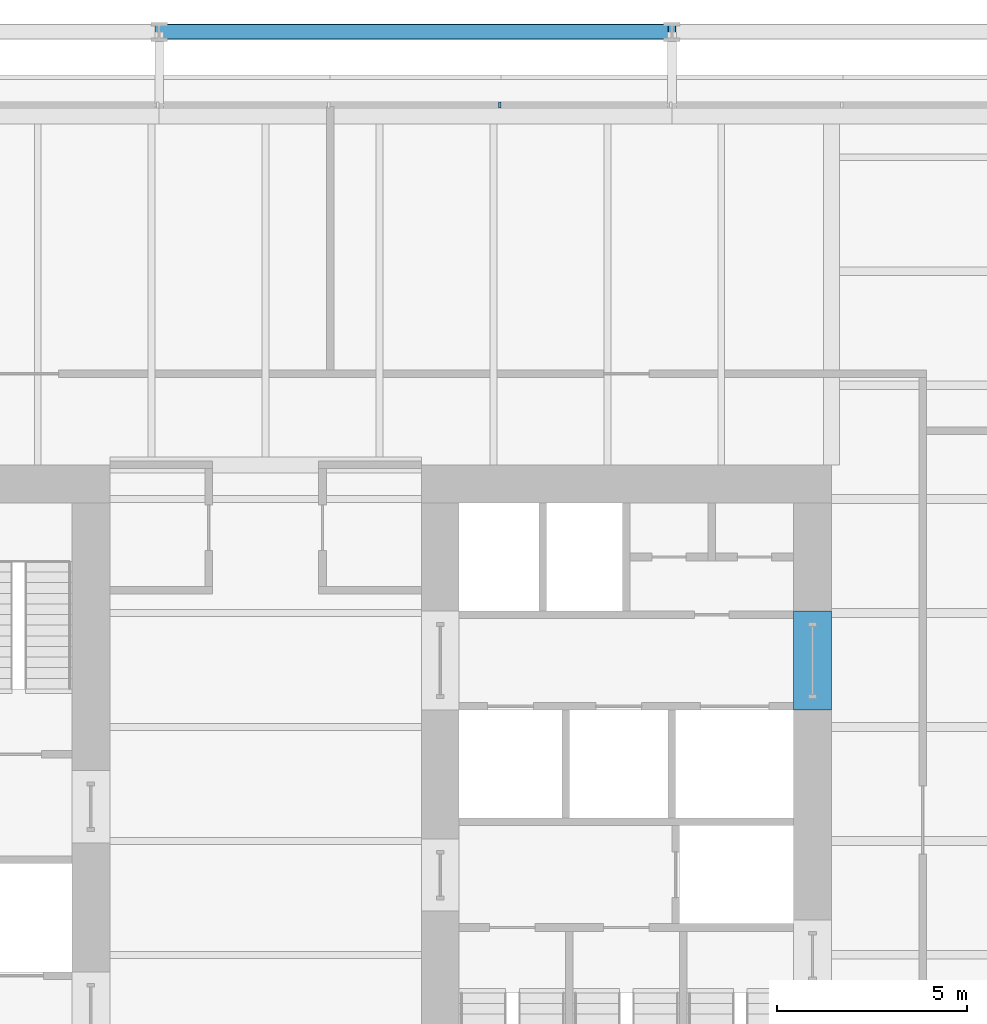
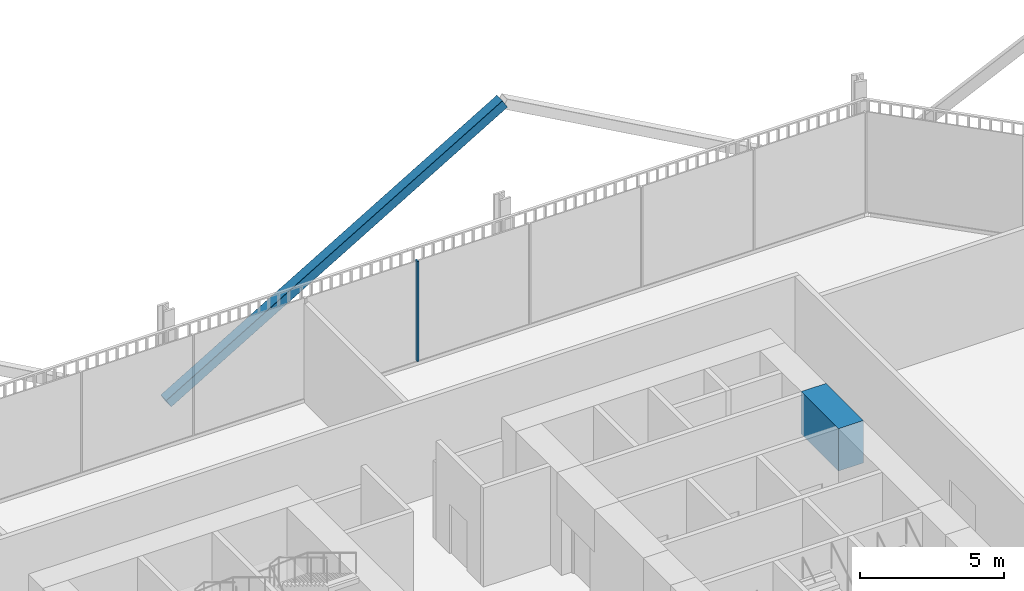
# One storey, part 14 of 21: 2 members, 1 beam, 1 element without a shape of its own.
"""IFC4 building model written with IfcOpenShell, lengths in metres."""

from ifc_helpers import new_model, si_unit, direction, frame, origin, origin_2d, place, context, subcontext, project, spatial, rectangle, hollow_rectangle, extrude, material, layer, layer_set, material_profile, profile_set, type_object, element, aggregate, save


model = new_model("IFC4")

# Units and contexts
model_context = context("Model", 3, precision=1e-05, world=origin(), true_north=direction((0.0, 1.0)))
body_context = subcontext(model_context, "Body", "Model", "MODEL_VIEW")
ifc_project = project(units=[si_unit("LENGTHUNIT", "METRE"), si_unit("AREAUNIT", "SQUARE_METRE"), si_unit("VOLUMEUNIT", "CUBIC_METRE"), si_unit("PLANEANGLEUNIT", "RADIAN"), si_unit("MASSUNIT", "GRAM", prefix="KILO")], contexts=[model_context])

# Site, building, storey
site_placement = place(None, origin())
site = spatial("IfcSite", under=ifc_project, at=site_placement, CompositionType="ELEMENT")
building_placement = place(site_placement, origin())
building = spatial("IfcBuilding", under=site, at=building_placement, Name="Millrace Tower", CompositionType="ELEMENT")
storey_placement = place(building_placement, frame((0.0, 0.0, 104.0)))
storey = spatial("IfcBuildingStorey", under=building, at=storey_placement, Name="L23", CompositionType="ELEMENT", Elevation=104.0)

# Curtain wall, member
ifc_material_1 = material(Name="Aluminium and glass", Category="aluminium")
ifc_layer = layer(ifc_material_1, 0.14990234375)
ifc_layer_set = layer_set([ifc_layer], Name="Aluminium and glass")
curtain_wall_type = type_object("IfcCurtainWallType", Name="CW-3 telecom floor curtain wall", PredefinedType="NOTDEFINED", material=ifc_layer_set)
curtain_wall_placement = place(storey_placement, origin())
curtain_wall = element("IfcCurtainWall", 1, at=curtain_wall_placement, inside=storey, type_object=curtain_wall_type, Name="Curtain wall B-F06 L23", PredefinedType="NOTDEFINED")
ifc_material_2 = material(Name="Aluminium", Category="aluminium")
ifc_material_profile_1 = material_profile(ifc_material_2, rectangle(XDim=0.06494140625, YDim=0.14990234375, at=origin_2d()))
ifc_profile_set_1 = profile_set([ifc_material_profile_1], Name="Aluminium")
member_type_1 = type_object("IfcMemberType", Name="CW-3 telecom floor curtain wall mullion", PredefinedType="MULLION", material=ifc_profile_set_1)
member_1_placement = place(storey_placement, frame((6.16748046875, 19.375, 0.14990234375), z_axis=(0.0, 0.0, 1.0), x_axis=(-1.0, 0.0, 0.0)))
member_1 = element("IfcMember", 2, at=member_1_placement, type_object=member_type_1, Name="CW3 mullion B-F06.5", PredefinedType="MULLION", context=body_context, shape_type="SweptSolid", body=[
    extrude(rectangle(XDim=0.06494140625, YDim=0.14990234375, at=origin_2d()), origin(), (0.0, 0.0, 1.0), 4.25),
])
aggregate(curtain_wall, [member_1])

# Beam
ifc_material_3 = material(Name="Concrete C80", Category="concrete")
ifc_material_profile_2 = material_profile(ifc_material_3, rectangle(XDim=1.0, YDim=1.800048828125, at=origin_2d()))
ifc_profile_set_2 = profile_set([ifc_material_profile_2], Name="Concrete C80")
beam_type = type_object("IfcBeamType", Name="Coupling beam 1000 x 1800 Concrete C80, 2000 opening", PredefinedType="BEAM", material=ifc_profile_set_2)
beam_placement = place(storey_placement, frame((14.39990234375, 6.050048828125, 3.300048828125), z_axis=(0.0, -1.0, 0.0), x_axis=(1.0, 0.0, 0.0)))
element("IfcBeam", 3, at=beam_placement, inside=storey, type_object=beam_type, Name="Coupling beam E L23", PredefinedType="BEAM", context=body_context, shape_type="SweptSolid", body=[
    extrude(rectangle(XDim=1.0, YDim=1.800048828125, at=origin_2d()), origin(), (0.0, 0.0, 1.0), 2.60009765625),
])

# Member
ifc_material_4 = material(Name="Steel ASTM A500 Grade C", Category="steel")
ifc_material_profile_3 = material_profile(ifc_material_4, hollow_rectangle(XDim=0.406494140625, YDim=0.406494140625, WallThickness=0.0126953125, InnerFilletRadius=0.00634765625, OuterFilletRadius=0.01904296875, at=origin_2d()))
ifc_profile_set_3 = profile_set([ifc_material_profile_3], Name="Steel ASTM A500 Grade C")
member_type_2 = type_object("IfcMemberType", Name="Exoskeleton brace HSS16x16x1/2", PredefinedType="BRACE", material=ifc_profile_set_3)
member_2_placement = place(storey_placement, frame((-2.800048828125, 21.300048828125, 0.39990234375), z_axis=(0.860291533634, 0.0, 0.509802390302), x_axis=(0.0, 1.0, 0.0)))
element("IfcMember", 4, at=member_2_placement, inside=storey, type_object=member_type_2, Name="BRC-B-L23-11", PredefinedType="BRACE", context=body_context, shape_type="SweptSolid", body=[
    extrude(hollow_rectangle(XDim=0.406494140625, YDim=0.406494140625, WallThickness=0.0126953125, InnerFilletRadius=0.00634765625, OuterFilletRadius=0.01904296875, at=origin_2d()), origin(), (0.0, 0.0, 1.0), 15.6923828125),
])

save(model, "model.ifc")
